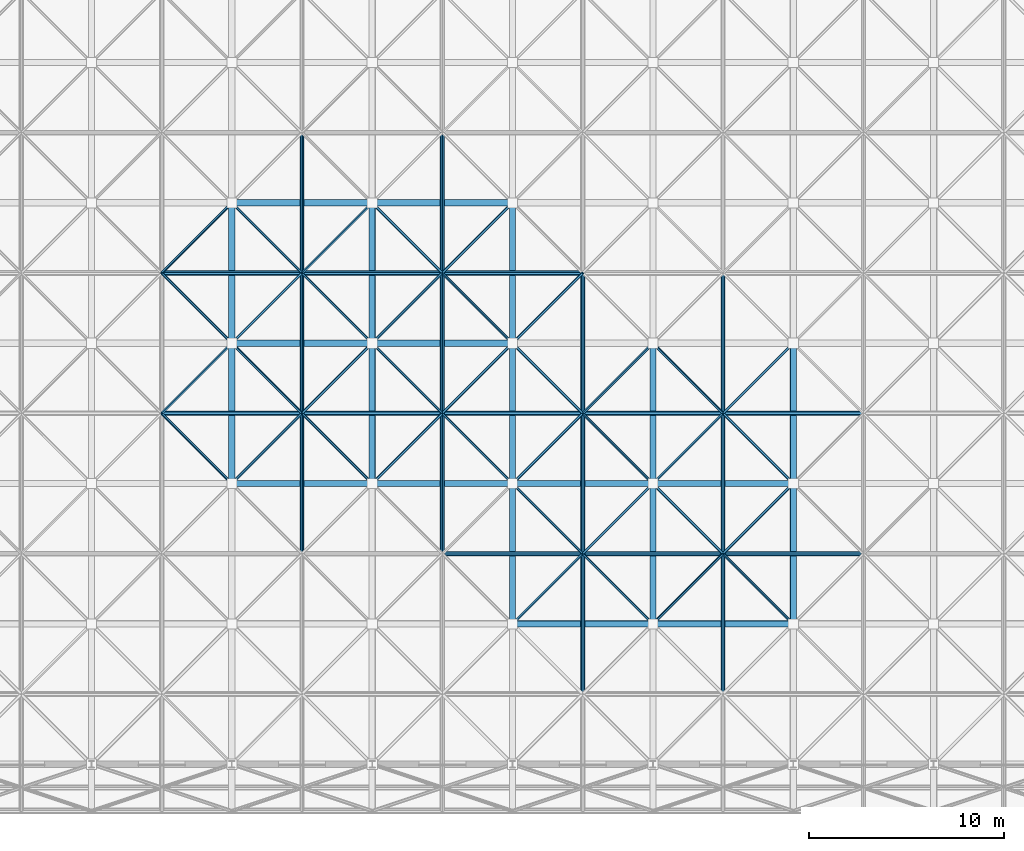
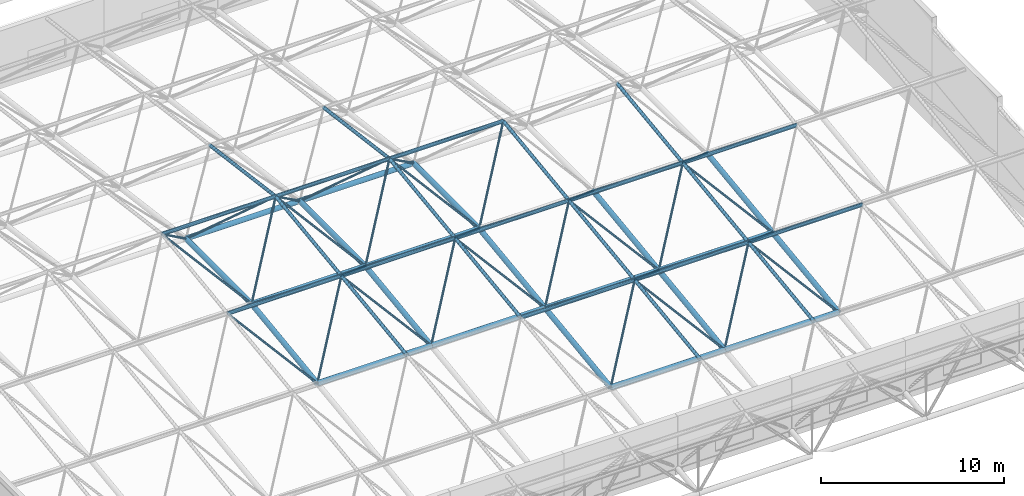
# One storey, part 51 of 103: 81 members.
"""IFC4 building model written with IfcOpenShell, lengths in metres."""

from ifc_helpers import new_model, si_unit, direction, frame, origin, origin_2d, place, context, subcontext, project, spatial, hollow_circle, extrude, material, material_profile, profile_set, type_object, element, save


model = new_model("IFC4")

# Units and contexts
model_context = context("Model", 3, precision=1e-05, world=origin(), true_north=direction((0.0, 1.0)))
body_context = subcontext(model_context, "Body", "Model", "MODEL_VIEW")
ifc_project = project(units=[si_unit("LENGTHUNIT", "METRE"), si_unit("AREAUNIT", "SQUARE_METRE"), si_unit("VOLUMEUNIT", "CUBIC_METRE"), si_unit("PLANEANGLEUNIT", "RADIAN"), si_unit("MASSUNIT", "GRAM", prefix="KILO")], contexts=[model_context])

# Site, building, storey
site_placement = place(None, origin())
site = spatial("IfcSite", under=ifc_project, at=site_placement, CompositionType="ELEMENT")
building_placement = place(site_placement, origin())
building = spatial("IfcBuilding", under=site, at=building_placement, Name="Thalmaran Polytechnic", CompositionType="ELEMENT")
storey_placement = place(building_placement, frame((0.0, 0.0, 14.39990234375)))
storey = spatial("IfcBuildingStorey", under=building, at=storey_placement, Name="L03", CompositionType="ELEMENT", Elevation=14.39990234375)

# Members
ifc_material = material(Name="Steel S355", Category="steel")
ifc_material_profile_1 = material_profile(ifc_material, hollow_circle(Radius=0.161865234375, WallThickness=0.012451171875, at=origin_2d()), Name="CHS 323.9x12.5")
ifc_profile_set_1 = profile_set([ifc_material_profile_1], Name="Steel S355")
member_type_1 = type_object("IfcMemberType", Name="MB-SFC0", PredefinedType="CHORD", material=ifc_profile_set_1)
for number, where, z_axis, x_axis, name in (
    (1, (129.60009765625, 21.60009765625, 3.223876953125), (1.0, 0.0, 0.0), (0.0, 1.0, 0.0), "Space-Frame Bottom Chord X (3,4)"),
    (2, (136.800048828125, 21.60009765625, 3.223876953125), (1.0, 0.0, 0.0), (0.0, 1.0, 0.0), "Space-Frame Bottom Chord X (4,4)"),
):
    element("IfcMember", number, at=place(storey_placement, frame(where, z_axis=z_axis, x_axis=x_axis)), inside=storey, type_object=member_type_1, Name=name, PredefinedType="CHORD", context=body_context, shape_type="SweptSolid", body=[
        extrude(hollow_circle(Radius=0.161865234375, WallThickness=0.012451171875, at=origin_2d()), origin(), (0.0, 0.0, 1.0), 7.199951171875),
    ])
ifc_material_profile_2 = material_profile(ifc_material, hollow_circle(Radius=0.122314453125, WallThickness=0.010009765625, at=origin_2d()), Name="CHS 244.5x10.0")
ifc_profile_set_2 = profile_set([ifc_material_profile_2], Name="Steel S355")
member_type_2 = type_object("IfcMemberType", Name="MB-SFC1", PredefinedType="CHORD", material=ifc_profile_set_2)
for number, where, z_axis, x_axis, name in (
    (3, (126.0, 18.0, 6.019775390625), (1.0, 0.0, 0.0), (0.0, 1.0, 0.0), "Space-Frame Top Chord X (3,4)"),
    (4, (126.0, 25.199951171875, 6.9677734375), (1.0, 0.0, 0.0), (0.0, 1.0, 0.0), "Space-Frame Top Chord X (3,5)"),
    (5, (133.199951171875, 18.0, 6.019775390625), (1.0, 0.0, 0.0), (0.0, 1.0, 0.0), "Space-Frame Top Chord X (4,4)"),
    (6, (133.199951171875, 25.199951171875, 6.9677734375), (1.0, 0.0, 0.0), (0.0, 1.0, 0.0), "Space-Frame Top Chord X (4,5)"),
):
    element("IfcMember", number, at=place(storey_placement, frame(where, z_axis=z_axis, x_axis=x_axis)), inside=storey, type_object=member_type_2, Name=name, PredefinedType="CHORD", context=body_context, shape_type="SweptSolid", body=[
        extrude(hollow_circle(Radius=0.122314453125, WallThickness=0.010009765625, at=origin_2d()), origin(), (0.0, 0.0, 1.0), 7.199951171875),
    ])
for number, where, z_axis, x_axis, name in (
    (7, (140.39990234375, 10.800048828125, 5.072021484375), (1.0, 0.0, 0.0), (0.0, 1.0, 0.0), "Space-Frame Top Chord X (5,3)"),
    (8, (140.39990234375, 18.0, 6.019775390625), (1.0, 0.0, 0.0), (0.0, 1.0, 0.0), "Space-Frame Top Chord X (5,4)"),
    (9, (140.39990234375, 25.199951171875, 6.9677734375), (1.0, 0.0, 0.0), (0.0, 1.0, 0.0), "Space-Frame Top Chord X (5,5)"),
):
    element("IfcMember", number, at=place(storey_placement, frame(where, z_axis=z_axis, x_axis=x_axis)), inside=storey, type_object=member_type_2, Name=name, PredefinedType="CHORD", context=body_context, shape_type="SweptSolid", body=[
        extrude(hollow_circle(Radius=0.122314453125, WallThickness=0.010009765625, at=origin_2d()), origin(), (0.0, 0.0, 1.0), 7.2001953125),
    ])
for number, where, z_axis, x_axis, name in (
    (10, (147.60009765625, 10.800048828125, 5.072021484375), (1.0, 0.0, 0.0), (0.0, 1.0, 0.0), "Space-Frame Top Chord X (6,3)"),
    (11, (147.60009765625, 18.0, 6.019775390625), (1.0, 0.0, 0.0), (0.0, 1.0, 0.0), "Space-Frame Top Chord X (6,4)"),
    (12, (154.800048828125, 10.800048828125, 5.072021484375), (1.0, 0.0, 0.0), (0.0, 1.0, 0.0), "Space-Frame Top Chord X (7,3)"),
    (13, (154.800048828125, 18.0, 6.019775390625), (1.0, 0.0, 0.0), (0.0, 1.0, 0.0), "Space-Frame Top Chord X (7,4)"),
):
    element("IfcMember", number, at=place(storey_placement, frame(where, z_axis=z_axis, x_axis=x_axis)), inside=storey, type_object=member_type_2, Name=name, PredefinedType="CHORD", context=body_context, shape_type="SweptSolid", body=[
        extrude(hollow_circle(Radius=0.122314453125, WallThickness=0.010009765625, at=origin_2d()), origin(), (0.0, 0.0, 1.0), 7.199951171875),
    ])
ifc_material_profile_3 = material_profile(ifc_material, hollow_circle(Radius=0.109619140625, WallThickness=0.010009765625, at=origin_2d()), Name="CHS 219.1x10.0")
ifc_profile_set_3 = profile_set([ifc_material_profile_3], Name="Steel S355")
member_type_3 = type_object("IfcMemberType", Name="MB-SFC2", PredefinedType="CHORD", material=ifc_profile_set_3)
member_1_placement = place(storey_placement, frame((133.199951171875, 10.800048828125, 5.072021484375), z_axis=(0.0, 0.991447314079, 0.130507560722), x_axis=(-1.0, 0.0, 0.0)))
element("IfcMember", 14, at=member_1_placement, inside=storey, type_object=member_type_3, Name="Space-Frame Top Chord Y (4,3)", PredefinedType="CHORD", context=body_context, shape_type="SweptSolid", body=[
    extrude(hollow_circle(Radius=0.109619140625, WallThickness=0.010009765625, at=origin_2d()), origin(), (0.0, 0.0, 1.0), 7.261962890625),
])
for number, where, z_axis, x_axis, name in (
    (15, (133.199951171875, 18.0, 6.019775390625), (0.0, 0.991442963585, 0.130540606544), (-1.0, 0.0, 0.0), "Space-Frame Top Chord Y (4,4)"),
    (16, (133.199951171875, 25.199951171875, 6.9677734375), (0.0, 0.991442963585, -0.130540606544), (-1.0, 0.0, 0.0), "Space-Frame Top Chord Y (4,5)"),
):
    element("IfcMember", number, at=place(storey_placement, frame(where, z_axis=z_axis, x_axis=x_axis)), inside=storey, type_object=member_type_3, Name=name, PredefinedType="CHORD", context=body_context, shape_type="SweptSolid", body=[
        extrude(hollow_circle(Radius=0.109619140625, WallThickness=0.010009765625, at=origin_2d()), origin(), (0.0, 0.0, 1.0), 7.26220703125),
    ])
member_2_placement = place(storey_placement, frame((140.39990234375, 10.800048828125, 5.072021484375), z_axis=(0.0, 0.991447314079, 0.130507560722), x_axis=(-1.0, 0.0, 0.0)))
element("IfcMember", 17, at=member_2_placement, inside=storey, type_object=member_type_3, Name="Space-Frame Top Chord Y (5,3)", PredefinedType="CHORD", context=body_context, shape_type="SweptSolid", body=[
    extrude(hollow_circle(Radius=0.109619140625, WallThickness=0.010009765625, at=origin_2d()), origin(), (0.0, 0.0, 1.0), 7.261962890625),
])
for number, where, z_axis, x_axis, name in (
    (18, (140.39990234375, 18.0, 6.019775390625), (0.0, 0.991442963585, 0.130540606544), (-1.0, 0.0, 0.0), "Space-Frame Top Chord Y (5,4)"),
    (19, (140.39990234375, 25.199951171875, 6.9677734375), (0.0, 0.991442963585, -0.130540606544), (-1.0, 0.0, 0.0), "Space-Frame Top Chord Y (5,5)"),
    (20, (147.60009765625, 3.60009765625, 4.1240234375), (0.0, 0.991442963585, 0.130540606544), (-1.0, 0.0, 0.0), "Space-Frame Top Chord Y (6,2)"),
):
    element("IfcMember", number, at=place(storey_placement, frame(where, z_axis=z_axis, x_axis=x_axis)), inside=storey, type_object=member_type_3, Name=name, PredefinedType="CHORD", context=body_context, shape_type="SweptSolid", body=[
        extrude(hollow_circle(Radius=0.109619140625, WallThickness=0.010009765625, at=origin_2d()), origin(), (0.0, 0.0, 1.0), 7.26220703125),
    ])
member_3_placement = place(storey_placement, frame((147.60009765625, 10.800048828125, 5.072021484375), z_axis=(0.0, 0.991447314079, 0.130507560722), x_axis=(-1.0, 0.0, 0.0)))
element("IfcMember", 21, at=member_3_placement, inside=storey, type_object=member_type_3, Name="Space-Frame Top Chord Y (6,3)", PredefinedType="CHORD", context=body_context, shape_type="SweptSolid", body=[
    extrude(hollow_circle(Radius=0.109619140625, WallThickness=0.010009765625, at=origin_2d()), origin(), (0.0, 0.0, 1.0), 7.261962890625),
])
for number, where, z_axis, x_axis, name in (
    (22, (147.60009765625, 18.0, 6.019775390625), (0.0, 0.991442963585, 0.130540606544), (-1.0, 0.0, 0.0), "Space-Frame Top Chord Y (6,4)"),
    (23, (154.800048828125, 3.60009765625, 4.1240234375), (0.0, 0.991442963585, 0.130540606544), (-1.0, 0.0, 0.0), "Space-Frame Top Chord Y (7,2)"),
):
    element("IfcMember", number, at=place(storey_placement, frame(where, z_axis=z_axis, x_axis=x_axis)), inside=storey, type_object=member_type_3, Name=name, PredefinedType="CHORD", context=body_context, shape_type="SweptSolid", body=[
        extrude(hollow_circle(Radius=0.109619140625, WallThickness=0.010009765625, at=origin_2d()), origin(), (0.0, 0.0, 1.0), 7.26220703125),
    ])
member_4_placement = place(storey_placement, frame((154.800048828125, 10.800048828125, 5.072021484375), z_axis=(0.0, 0.991447314079, 0.130507560722), x_axis=(-1.0, 0.0, 0.0)))
element("IfcMember", 24, at=member_4_placement, inside=storey, type_object=member_type_3, Name="Space-Frame Top Chord Y (7,3)", PredefinedType="CHORD", context=body_context, shape_type="SweptSolid", body=[
    extrude(hollow_circle(Radius=0.109619140625, WallThickness=0.010009765625, at=origin_2d()), origin(), (0.0, 0.0, 1.0), 7.261962890625),
])
member_5_placement = place(storey_placement, frame((154.800048828125, 18.0, 6.019775390625), z_axis=(0.0, 0.991442963585, 0.130540606544), x_axis=(-1.0, 0.0, 0.0)))
element("IfcMember", 25, at=member_5_placement, inside=storey, type_object=member_type_3, Name="Space-Frame Top Chord Y (7,4)", PredefinedType="CHORD", context=body_context, shape_type="SweptSolid", body=[
    extrude(hollow_circle(Radius=0.109619140625, WallThickness=0.010009765625, at=origin_2d()), origin(), (0.0, 0.0, 1.0), 7.26220703125),
])
ifc_material_profile_4 = material_profile(ifc_material, hollow_circle(Radius=0.161865234375, WallThickness=0.012451171875, at=origin_2d()), Name="CHS 323.9x12.5")
ifc_profile_set_4 = profile_set([ifc_material_profile_4], Name="Steel S355")
member_type_4 = type_object("IfcMemberType", Name="MB-SFC4", PredefinedType="CHORD", material=ifc_profile_set_4)
member_6_placement = place(storey_placement, frame((129.60009765625, 14.39990234375, 2.27587890625), z_axis=(1.0, 0.0, 0.0), x_axis=(0.0, 1.0, 0.0)))
element("IfcMember", 26, at=member_6_placement, inside=storey, type_object=member_type_4, Name="Space-Frame Bottom Chord X (3,3)", PredefinedType="CHORD", context=body_context, shape_type="SweptSolid", body=[
    extrude(hollow_circle(Radius=0.161865234375, WallThickness=0.012451171875, at=origin_2d()), origin(), (0.0, 0.0, 1.0), 7.199951171875),
])
member_7_placement = place(storey_placement, frame((129.60009765625, 14.39990234375, 2.27587890625), z_axis=(0.0, 0.991443536444, 0.130536255663), x_axis=(-1.0, 0.0, 0.0)))
element("IfcMember", 27, at=member_7_placement, inside=storey, type_object=member_type_4, Name="Space-Frame Bottom Chord Y (3,3)", PredefinedType="CHORD", context=body_context, shape_type="SweptSolid", body=[
    extrude(hollow_circle(Radius=0.161865234375, WallThickness=0.012451171875, at=origin_2d()), origin(), (0.0, 0.0, 1.0), 7.262451171875),
])
for number, where, z_axis, x_axis, name in (
    (28, (129.60009765625, 21.60009765625, 3.223876953125), (0.0, 1.0, 0.0), (-1.0, 0.0, 0.0), "Space-Frame Bottom Chord Y (3,4)"),
    (29, (129.60009765625, 28.800048828125, 3.223876953125), (1.0, 0.0, 0.0), (0.0, 1.0, 0.0), "Space-Frame Bottom Chord X (3,5)"),
    (30, (136.800048828125, 14.39990234375, 2.27587890625), (1.0, 0.0, 0.0), (0.0, 1.0, 0.0), "Space-Frame Bottom Chord X (4,3)"),
):
    element("IfcMember", number, at=place(storey_placement, frame(where, z_axis=z_axis, x_axis=x_axis)), inside=storey, type_object=member_type_4, Name=name, PredefinedType="CHORD", context=body_context, shape_type="SweptSolid", body=[
        extrude(hollow_circle(Radius=0.161865234375, WallThickness=0.012451171875, at=origin_2d()), origin(), (0.0, 0.0, 1.0), 7.199951171875),
    ])
member_8_placement = place(storey_placement, frame((136.800048828125, 14.39990234375, 2.27587890625), z_axis=(0.0, 0.991443536444, 0.130536255663), x_axis=(-1.0, 0.0, 0.0)))
element("IfcMember", 31, at=member_8_placement, inside=storey, type_object=member_type_4, Name="Space-Frame Bottom Chord Y (4,3)", PredefinedType="CHORD", context=body_context, shape_type="SweptSolid", body=[
    extrude(hollow_circle(Radius=0.161865234375, WallThickness=0.012451171875, at=origin_2d()), origin(), (0.0, 0.0, 1.0), 7.262451171875),
])
for number, where, z_axis, x_axis, name in (
    (32, (136.800048828125, 21.60009765625, 3.223876953125), (0.0, 1.0, 0.0), (-1.0, 0.0, 0.0), "Space-Frame Bottom Chord Y (4,4)"),
    (33, (136.800048828125, 28.800048828125, 3.223876953125), (1.0, 0.0, 0.0), (0.0, 1.0, 0.0), "Space-Frame Bottom Chord X (4,5)"),
    (34, (144.0, 7.199951171875, 1.327880859375), (1.0, 0.0, 0.0), (0.0, 1.0, 0.0), "Space-Frame Bottom Chord X (5,2)"),
):
    element("IfcMember", number, at=place(storey_placement, frame(where, z_axis=z_axis, x_axis=x_axis)), inside=storey, type_object=member_type_4, Name=name, PredefinedType="CHORD", context=body_context, shape_type="SweptSolid", body=[
        extrude(hollow_circle(Radius=0.161865234375, WallThickness=0.012451171875, at=origin_2d()), origin(), (0.0, 0.0, 1.0), 7.199951171875),
    ])
member_9_placement = place(storey_placement, frame((144.0, 7.199951171875, 1.327880859375), z_axis=(0.0, 0.991442963585, 0.130540606544), x_axis=(-1.0, 0.0, 0.0)))
element("IfcMember", 35, at=member_9_placement, inside=storey, type_object=member_type_4, Name="Space-Frame Bottom Chord Y (5,2)", PredefinedType="CHORD", context=body_context, shape_type="SweptSolid", body=[
    extrude(hollow_circle(Radius=0.161865234375, WallThickness=0.012451171875, at=origin_2d()), origin(), (0.0, 0.0, 1.0), 7.26220703125),
])
member_10_placement = place(storey_placement, frame((144.0, 14.39990234375, 2.27587890625), z_axis=(1.0, 0.0, 0.0), x_axis=(0.0, 1.0, 0.0)))
element("IfcMember", 36, at=member_10_placement, inside=storey, type_object=member_type_4, Name="Space-Frame Bottom Chord X (5,3)", PredefinedType="CHORD", context=body_context, shape_type="SweptSolid", body=[
    extrude(hollow_circle(Radius=0.161865234375, WallThickness=0.012451171875, at=origin_2d()), origin(), (0.0, 0.0, 1.0), 7.199951171875),
])
member_11_placement = place(storey_placement, frame((144.0, 14.39990234375, 2.27587890625), z_axis=(0.0, 0.991443536444, 0.130536255663), x_axis=(-1.0, 0.0, 0.0)))
element("IfcMember", 37, at=member_11_placement, inside=storey, type_object=member_type_4, Name="Space-Frame Bottom Chord Y (5,3)", PredefinedType="CHORD", context=body_context, shape_type="SweptSolid", body=[
    extrude(hollow_circle(Radius=0.161865234375, WallThickness=0.012451171875, at=origin_2d()), origin(), (0.0, 0.0, 1.0), 7.262451171875),
])
for number, where, z_axis, x_axis, name in (
    (38, (144.0, 21.60009765625, 3.223876953125), (0.0, 1.0, 0.0), (-1.0, 0.0, 0.0), "Space-Frame Bottom Chord Y (5,4)"),
    (39, (151.199951171875, 7.199951171875, 1.327880859375), (1.0, 0.0, 0.0), (0.0, 1.0, 0.0), "Space-Frame Bottom Chord X (6,2)"),
):
    element("IfcMember", number, at=place(storey_placement, frame(where, z_axis=z_axis, x_axis=x_axis)), inside=storey, type_object=member_type_4, Name=name, PredefinedType="CHORD", context=body_context, shape_type="SweptSolid", body=[
        extrude(hollow_circle(Radius=0.161865234375, WallThickness=0.012451171875, at=origin_2d()), origin(), (0.0, 0.0, 1.0), 7.199951171875),
    ])
member_12_placement = place(storey_placement, frame((151.199951171875, 7.199951171875, 1.327880859375), z_axis=(0.0, 0.991442963585, 0.130540606544), x_axis=(-1.0, 0.0, 0.0)))
element("IfcMember", 40, at=member_12_placement, inside=storey, type_object=member_type_4, Name="Space-Frame Bottom Chord Y (6,2)", PredefinedType="CHORD", context=body_context, shape_type="SweptSolid", body=[
    extrude(hollow_circle(Radius=0.161865234375, WallThickness=0.012451171875, at=origin_2d()), origin(), (0.0, 0.0, 1.0), 7.26220703125),
])
member_13_placement = place(storey_placement, frame((151.199951171875, 14.39990234375, 2.27587890625), z_axis=(1.0, 0.0, 0.0), x_axis=(0.0, 1.0, 0.0)))
element("IfcMember", 41, at=member_13_placement, inside=storey, type_object=member_type_4, Name="Space-Frame Bottom Chord X (6,3)", PredefinedType="CHORD", context=body_context, shape_type="SweptSolid", body=[
    extrude(hollow_circle(Radius=0.161865234375, WallThickness=0.012451171875, at=origin_2d()), origin(), (0.0, 0.0, 1.0), 7.199951171875),
])
member_14_placement = place(storey_placement, frame((151.199951171875, 14.39990234375, 2.27587890625), z_axis=(0.0, 0.991443536444, 0.130536255663), x_axis=(-1.0, 0.0, 0.0)))
element("IfcMember", 42, at=member_14_placement, inside=storey, type_object=member_type_4, Name="Space-Frame Bottom Chord Y (6,3)", PredefinedType="CHORD", context=body_context, shape_type="SweptSolid", body=[
    extrude(hollow_circle(Radius=0.161865234375, WallThickness=0.012451171875, at=origin_2d()), origin(), (0.0, 0.0, 1.0), 7.262451171875),
])
member_15_placement = place(storey_placement, frame((158.39990234375, 7.199951171875, 1.327880859375), z_axis=(0.0, 0.991442963585, 0.130540606544), x_axis=(-1.0, 0.0, 0.0)))
element("IfcMember", 43, at=member_15_placement, inside=storey, type_object=member_type_4, Name="Space-Frame Bottom Chord Y (7,2)", PredefinedType="CHORD", context=body_context, shape_type="SweptSolid", body=[
    extrude(hollow_circle(Radius=0.161865234375, WallThickness=0.012451171875, at=origin_2d()), origin(), (0.0, 0.0, 1.0), 7.26220703125),
])
member_16_placement = place(storey_placement, frame((158.39990234375, 14.39990234375, 2.27587890625), z_axis=(0.0, 0.991443536444, 0.130536255663), x_axis=(-1.0, 0.0, 0.0)))
element("IfcMember", 44, at=member_16_placement, inside=storey, type_object=member_type_4, Name="Space-Frame Bottom Chord Y (7,3)", PredefinedType="CHORD", context=body_context, shape_type="SweptSolid", body=[
    extrude(hollow_circle(Radius=0.161865234375, WallThickness=0.012451171875, at=origin_2d()), origin(), (0.0, 0.0, 1.0), 7.262451171875),
])
ifc_material_profile_5 = material_profile(ifc_material, hollow_circle(Radius=0.06982421875, WallThickness=0.008056640625, at=origin_2d()), Name="CHS 139.7x8.0")
ifc_profile_set_5 = profile_set([ifc_material_profile_5], Name="Steel S355")
member_type_5 = type_object("IfcMemberType", Name="MB-SFD2", PredefinedType="BRACE", material=ifc_profile_set_5)
member_17_placement = place(storey_placement, frame((129.60009765625, 14.39990234375, 2.27587890625), z_axis=(-0.569665890713, 0.569665890713, 0.592420075552), x_axis=(-0.707106781187, -0.707106781187, 0.0)))
element("IfcMember", 45, at=member_17_placement, inside=storey, type_object=member_type_5, Name="Space-Frame Web Diagonal (2,3)-2", PredefinedType="BRACE", context=body_context, shape_type="SweptSolid", body=[
    extrude(hollow_circle(Radius=0.06982421875, WallThickness=0.008056640625, at=origin_2d()), origin(), (0.0, 0.0, 1.0), 6.319580078125),
])
member_18_placement = place(storey_placement, frame((129.60009765625, 21.60009765625, 3.223876953125), z_axis=(-0.619800169112, -0.619800169112, 0.481347588273), x_axis=(0.707106781187, -0.707106781187, 0.0)))
element("IfcMember", 46, at=member_18_placement, inside=storey, type_object=member_type_5, Name="Space-Frame Web Diagonal (2,3)-4", PredefinedType="BRACE", context=body_context, shape_type="SweptSolid", body=[
    extrude(hollow_circle(Radius=0.06982421875, WallThickness=0.008056640625, at=origin_2d()), origin(), (0.0, 0.0, 1.0), 5.80859375),
])
for number, where, z_axis, x_axis, name in (
    (47, (129.60009765625, 21.60009765625, 3.223876953125), (-0.569678427494, 0.569639794751, 0.592433113089), (-0.707082803744, -0.707130757816, 0.0), "Space-Frame Web Diagonal (2,4)-2"),
    (48, (129.60009765625, 28.800048828125, 3.223876953125), (-0.569665890713, -0.569665890713, 0.592420075552), (0.707106781187, -0.707106781187, 0.0), "Space-Frame Web Diagonal (2,4)-4"),
    (49, (129.60009765625, 14.39990234375, 2.27587890625), (0.569639794751, 0.569678427494, 0.592433113089), (-0.707130757816, 0.707082803744, 0.0), "Space-Frame Web Diagonal (3,3)-1"),
    (50, (136.800048828125, 14.39990234375, 2.27587890625), (-0.569665890713, 0.569665890713, 0.592420075552), (-0.707106781187, -0.707106781187, 0.0), "Space-Frame Web Diagonal (3,3)-2"),
):
    element("IfcMember", number, at=place(storey_placement, frame(where, z_axis=z_axis, x_axis=x_axis)), inside=storey, type_object=member_type_5, Name=name, PredefinedType="BRACE", context=body_context, shape_type="SweptSolid", body=[
        extrude(hollow_circle(Radius=0.06982421875, WallThickness=0.008056640625, at=origin_2d()), origin(), (0.0, 0.0, 1.0), 6.319580078125),
    ])
member_19_placement = place(storey_placement, frame((129.60009765625, 21.60009765625, 3.223876953125), z_axis=(0.619774282943, -0.619816315787, 0.481360128061), x_axis=(0.707130757816, 0.707082803744, 0.0)))
element("IfcMember", 51, at=member_19_placement, inside=storey, type_object=member_type_5, Name="Space-Frame Web Diagonal (3,3)-3", PredefinedType="BRACE", context=body_context, shape_type="SweptSolid", body=[
    extrude(hollow_circle(Radius=0.06982421875, WallThickness=0.008056640625, at=origin_2d()), origin(), (0.0, 0.0, 1.0), 5.808349609375),
])
member_20_placement = place(storey_placement, frame((136.800048828125, 21.60009765625, 3.223876953125), z_axis=(-0.619800169112, -0.619800169112, 0.481347588273), x_axis=(0.707106781187, -0.707106781187, 0.0)))
element("IfcMember", 52, at=member_20_placement, inside=storey, type_object=member_type_5, Name="Space-Frame Web Diagonal (3,3)-4", PredefinedType="BRACE", context=body_context, shape_type="SweptSolid", body=[
    extrude(hollow_circle(Radius=0.06982421875, WallThickness=0.008056640625, at=origin_2d()), origin(), (0.0, 0.0, 1.0), 5.80859375),
])
member_21_placement = place(storey_placement, frame((129.60009765625, 21.60009765625, 3.223876953125), z_axis=(0.569652331509, 0.569652331509, 0.592446151488), x_axis=(-0.707106781187, 0.707106781187, 0.0)))
element("IfcMember", 53, at=member_21_placement, inside=storey, type_object=member_type_5, Name="Space-Frame Web Diagonal (3,4)-1", PredefinedType="BRACE", context=body_context, shape_type="SweptSolid", body=[
    extrude(hollow_circle(Radius=0.06982421875, WallThickness=0.008056640625, at=origin_2d()), origin(), (0.0, 0.0, 1.0), 6.3193359375),
])
for number, where, z_axis, x_axis, name in (
    (54, (136.800048828125, 21.60009765625, 3.223876953125), (-0.569678427494, 0.569639794751, 0.592433113089), (-0.707082803744, -0.707130757816, 0.0), "Space-Frame Web Diagonal (3,4)-2"),
    (55, (129.60009765625, 28.800048828125, 3.223876953125), (0.569639794751, -0.569678427494, 0.592433113089), (0.707130757816, 0.707082803744, 0.0), "Space-Frame Web Diagonal (3,4)-3"),
    (56, (136.800048828125, 28.800048828125, 3.223876953125), (-0.569665890713, -0.569665890713, 0.592420075552), (0.707106781187, -0.707106781187, 0.0), "Space-Frame Web Diagonal (3,4)-4"),
    (57, (136.800048828125, 14.39990234375, 2.27587890625), (0.569639794751, 0.569678427494, 0.592433113089), (-0.707130757816, 0.707082803744, 0.0), "Space-Frame Web Diagonal (4,3)-1"),
    (58, (144.0, 14.39990234375, 2.27587890625), (-0.569665890713, 0.569665890713, 0.592420075552), (-0.707106781187, -0.707106781187, 0.0), "Space-Frame Web Diagonal (4,3)-2"),
):
    element("IfcMember", number, at=place(storey_placement, frame(where, z_axis=z_axis, x_axis=x_axis)), inside=storey, type_object=member_type_5, Name=name, PredefinedType="BRACE", context=body_context, shape_type="SweptSolid", body=[
        extrude(hollow_circle(Radius=0.06982421875, WallThickness=0.008056640625, at=origin_2d()), origin(), (0.0, 0.0, 1.0), 6.319580078125),
    ])
member_22_placement = place(storey_placement, frame((136.800048828125, 21.60009765625, 3.223876953125), z_axis=(0.619774282943, -0.619816315787, 0.481360128061), x_axis=(0.707130757816, 0.707082803744, 0.0)))
element("IfcMember", 59, at=member_22_placement, inside=storey, type_object=member_type_5, Name="Space-Frame Web Diagonal (4,3)-3", PredefinedType="BRACE", context=body_context, shape_type="SweptSolid", body=[
    extrude(hollow_circle(Radius=0.06982421875, WallThickness=0.008056640625, at=origin_2d()), origin(), (0.0, 0.0, 1.0), 5.808349609375),
])
member_23_placement = place(storey_placement, frame((144.0, 21.60009765625, 3.223876953125), z_axis=(-0.619800169112, -0.619800169112, 0.481347588273), x_axis=(0.707106781187, -0.707106781187, 0.0)))
element("IfcMember", 60, at=member_23_placement, inside=storey, type_object=member_type_5, Name="Space-Frame Web Diagonal (4,3)-4", PredefinedType="BRACE", context=body_context, shape_type="SweptSolid", body=[
    extrude(hollow_circle(Radius=0.06982421875, WallThickness=0.008056640625, at=origin_2d()), origin(), (0.0, 0.0, 1.0), 5.80859375),
])
member_24_placement = place(storey_placement, frame((136.800048828125, 21.60009765625, 3.223876953125), z_axis=(0.569652331509, 0.569652331509, 0.592446151488), x_axis=(-0.707106781187, 0.707106781187, 0.0)))
element("IfcMember", 61, at=member_24_placement, inside=storey, type_object=member_type_5, Name="Space-Frame Web Diagonal (4,4)-1", PredefinedType="BRACE", context=body_context, shape_type="SweptSolid", body=[
    extrude(hollow_circle(Radius=0.06982421875, WallThickness=0.008056640625, at=origin_2d()), origin(), (0.0, 0.0, 1.0), 6.3193359375),
])
for number, where, z_axis, x_axis, name in (
    (62, (144.0, 21.60009765625, 3.223876953125), (-0.569678427494, 0.569639794751, 0.592433113089), (-0.707082803744, -0.707130757816, 0.0), "Space-Frame Web Diagonal (4,4)-2"),
    (63, (136.800048828125, 28.800048828125, 3.223876953125), (0.569639794751, -0.569678427494, 0.592433113089), (0.707130757816, 0.707082803744, 0.0), "Space-Frame Web Diagonal (4,4)-3"),
    (64, (144.0, 28.800048828125, 3.223876953125), (-0.569665890713, -0.569665890713, 0.592420075552), (0.707106781187, -0.707106781187, 0.0), "Space-Frame Web Diagonal (4,4)-4"),
):
    element("IfcMember", number, at=place(storey_placement, frame(where, z_axis=z_axis, x_axis=x_axis)), inside=storey, type_object=member_type_5, Name=name, PredefinedType="BRACE", context=body_context, shape_type="SweptSolid", body=[
        extrude(hollow_circle(Radius=0.06982421875, WallThickness=0.008056640625, at=origin_2d()), origin(), (0.0, 0.0, 1.0), 6.319580078125),
    ])
member_25_placement = place(storey_placement, frame((144.0, 7.199951171875, 1.327880859375), z_axis=(0.569652853186, 0.569652853186, 0.592445148275), x_axis=(-0.707106781187, 0.707106781187, 0.0)))
element("IfcMember", 65, at=member_25_placement, inside=storey, type_object=member_type_5, Name="Space-Frame Web Diagonal (5,2)-1", PredefinedType="BRACE", context=body_context, shape_type="SweptSolid", body=[
    extrude(hollow_circle(Radius=0.06982421875, WallThickness=0.008056640625, at=origin_2d()), origin(), (0.0, 0.0, 1.0), 6.31982421875),
])
member_26_placement = place(storey_placement, frame((151.199951171875, 7.199951171875, 1.327880859375), z_axis=(-0.569626757247, 0.569665389106, 0.592458185768), x_axis=(-0.707130757816, -0.707082803744, 0.0)))
element("IfcMember", 66, at=member_26_placement, inside=storey, type_object=member_type_5, Name="Space-Frame Web Diagonal (5,2)-2", PredefinedType="BRACE", context=body_context, shape_type="SweptSolid", body=[
    extrude(hollow_circle(Radius=0.06982421875, WallThickness=0.008056640625, at=origin_2d()), origin(), (0.0, 0.0, 1.0), 6.319580078125),
])
for number, where, z_axis, x_axis, name in (
    (67, (144.0, 14.39990234375, 2.27587890625), (0.619803774917, -0.619761742923, 0.481392420597), (0.707082803744, 0.707130757816, 0.0), "Space-Frame Web Diagonal (5,2)-3"),
    (68, (151.199951171875, 14.39990234375, 2.27587890625), (-0.619777888784, -0.619777888784, 0.481404961699), (0.707106781187, -0.707106781187, 0.0), "Space-Frame Web Diagonal (5,2)-4"),
):
    element("IfcMember", number, at=place(storey_placement, frame(where, z_axis=z_axis, x_axis=x_axis)), inside=storey, type_object=member_type_5, Name=name, PredefinedType="BRACE", context=body_context, shape_type="SweptSolid", body=[
        extrude(hollow_circle(Radius=0.06982421875, WallThickness=0.008056640625, at=origin_2d()), origin(), (0.0, 0.0, 1.0), 5.808349609375),
    ])
for number, where, z_axis, x_axis, name in (
    (69, (144.0, 14.39990234375, 2.27587890625), (0.569665890713, 0.569665890713, 0.592420075552), (-0.707106781187, 0.707106781187, 0.0), "Space-Frame Web Diagonal (5,3)-1"),
    (70, (151.199951171875, 14.39990234375, 2.27587890625), (-0.569639794751, 0.569678427494, 0.592433113089), (-0.707130757816, -0.707082803744, 0.0), "Space-Frame Web Diagonal (5,3)-2"),
):
    element("IfcMember", number, at=place(storey_placement, frame(where, z_axis=z_axis, x_axis=x_axis)), inside=storey, type_object=member_type_5, Name=name, PredefinedType="BRACE", context=body_context, shape_type="SweptSolid", body=[
        extrude(hollow_circle(Radius=0.06982421875, WallThickness=0.008056640625, at=origin_2d()), origin(), (0.0, 0.0, 1.0), 6.319580078125),
    ])
member_27_placement = place(storey_placement, frame((144.0, 21.60009765625, 3.223876953125), z_axis=(0.619800169112, -0.619800169112, 0.481347588273), x_axis=(0.707106781187, 0.707106781187, 0.0)))
element("IfcMember", 71, at=member_27_placement, inside=storey, type_object=member_type_5, Name="Space-Frame Web Diagonal (5,3)-3", PredefinedType="BRACE", context=body_context, shape_type="SweptSolid", body=[
    extrude(hollow_circle(Radius=0.06982421875, WallThickness=0.008056640625, at=origin_2d()), origin(), (0.0, 0.0, 1.0), 5.80859375),
])
member_28_placement = place(storey_placement, frame((151.199951171875, 21.60009765625, 3.223876953125), z_axis=(-0.619774282943, -0.619816315787, 0.481360128061), x_axis=(0.707130757816, -0.707082803744, 0.0)))
element("IfcMember", 72, at=member_28_placement, inside=storey, type_object=member_type_5, Name="Space-Frame Web Diagonal (5,3)-4", PredefinedType="BRACE", context=body_context, shape_type="SweptSolid", body=[
    extrude(hollow_circle(Radius=0.06982421875, WallThickness=0.008056640625, at=origin_2d()), origin(), (0.0, 0.0, 1.0), 5.808349609375),
])
member_29_placement = place(storey_placement, frame((144.0, 21.60009765625, 3.223876953125), z_axis=(0.569678427494, 0.569639794751, 0.592433113089), x_axis=(-0.707082803744, 0.707130757816, 0.0)))
element("IfcMember", 73, at=member_29_placement, inside=storey, type_object=member_type_5, Name="Space-Frame Web Diagonal (5,4)-1", PredefinedType="BRACE", context=body_context, shape_type="SweptSolid", body=[
    extrude(hollow_circle(Radius=0.06982421875, WallThickness=0.008056640625, at=origin_2d()), origin(), (0.0, 0.0, 1.0), 6.319580078125),
])
member_30_placement = place(storey_placement, frame((151.199951171875, 7.199951171875, 1.327880859375), z_axis=(0.569652853186, 0.569652853186, 0.592445148275), x_axis=(-0.707106781187, 0.707106781187, 0.0)))
element("IfcMember", 74, at=member_30_placement, inside=storey, type_object=member_type_5, Name="Space-Frame Web Diagonal (6,2)-1", PredefinedType="BRACE", context=body_context, shape_type="SweptSolid", body=[
    extrude(hollow_circle(Radius=0.06982421875, WallThickness=0.008056640625, at=origin_2d()), origin(), (0.0, 0.0, 1.0), 6.31982421875),
])
member_31_placement = place(storey_placement, frame((158.39990234375, 7.199951171875, 1.327880859375), z_axis=(-0.569626757247, 0.569665389106, 0.592458185768), x_axis=(-0.707130757816, -0.707082803744, 0.0)))
element("IfcMember", 75, at=member_31_placement, inside=storey, type_object=member_type_5, Name="Space-Frame Web Diagonal (6,2)-2", PredefinedType="BRACE", context=body_context, shape_type="SweptSolid", body=[
    extrude(hollow_circle(Radius=0.06982421875, WallThickness=0.008056640625, at=origin_2d()), origin(), (0.0, 0.0, 1.0), 6.319580078125),
])
for number, where, z_axis, x_axis, name in (
    (76, (151.199951171875, 14.39990234375, 2.27587890625), (0.619803774917, -0.619761742923, 0.481392420597), (0.707082803744, 0.707130757816, 0.0), "Space-Frame Web Diagonal (6,2)-3"),
    (77, (158.39990234375, 14.39990234375, 2.27587890625), (-0.619777888784, -0.619777888784, 0.481404961699), (0.707106781187, -0.707106781187, 0.0), "Space-Frame Web Diagonal (6,2)-4"),
):
    element("IfcMember", number, at=place(storey_placement, frame(where, z_axis=z_axis, x_axis=x_axis)), inside=storey, type_object=member_type_5, Name=name, PredefinedType="BRACE", context=body_context, shape_type="SweptSolid", body=[
        extrude(hollow_circle(Radius=0.06982421875, WallThickness=0.008056640625, at=origin_2d()), origin(), (0.0, 0.0, 1.0), 5.808349609375),
    ])
for number, where, z_axis, x_axis, name in (
    (78, (151.199951171875, 14.39990234375, 2.27587890625), (0.569665890713, 0.569665890713, 0.592420075552), (-0.707106781187, 0.707106781187, 0.0), "Space-Frame Web Diagonal (6,3)-1"),
    (79, (158.39990234375, 14.39990234375, 2.27587890625), (-0.569639794751, 0.569678427494, 0.592433113089), (-0.707130757816, -0.707082803744, 0.0), "Space-Frame Web Diagonal (6,3)-2"),
):
    element("IfcMember", number, at=place(storey_placement, frame(where, z_axis=z_axis, x_axis=x_axis)), inside=storey, type_object=member_type_5, Name=name, PredefinedType="BRACE", context=body_context, shape_type="SweptSolid", body=[
        extrude(hollow_circle(Radius=0.06982421875, WallThickness=0.008056640625, at=origin_2d()), origin(), (0.0, 0.0, 1.0), 6.319580078125),
    ])
member_32_placement = place(storey_placement, frame((151.199951171875, 21.60009765625, 3.223876953125), z_axis=(0.619800169112, -0.619800169112, 0.481347588273), x_axis=(0.707106781187, 0.707106781187, 0.0)))
element("IfcMember", 80, at=member_32_placement, inside=storey, type_object=member_type_5, Name="Space-Frame Web Diagonal (6,3)-3", PredefinedType="BRACE", context=body_context, shape_type="SweptSolid", body=[
    extrude(hollow_circle(Radius=0.06982421875, WallThickness=0.008056640625, at=origin_2d()), origin(), (0.0, 0.0, 1.0), 5.80859375),
])
member_33_placement = place(storey_placement, frame((158.39990234375, 21.60009765625, 3.223876953125), z_axis=(-0.619774282943, -0.619816315787, 0.481360128061), x_axis=(0.707130757816, -0.707082803744, 0.0)))
element("IfcMember", 81, at=member_33_placement, inside=storey, type_object=member_type_5, Name="Space-Frame Web Diagonal (6,3)-4", PredefinedType="BRACE", context=body_context, shape_type="SweptSolid", body=[
    extrude(hollow_circle(Radius=0.06982421875, WallThickness=0.008056640625, at=origin_2d()), origin(), (0.0, 0.0, 1.0), 5.808349609375),
])

save(model, "model.ifc")
